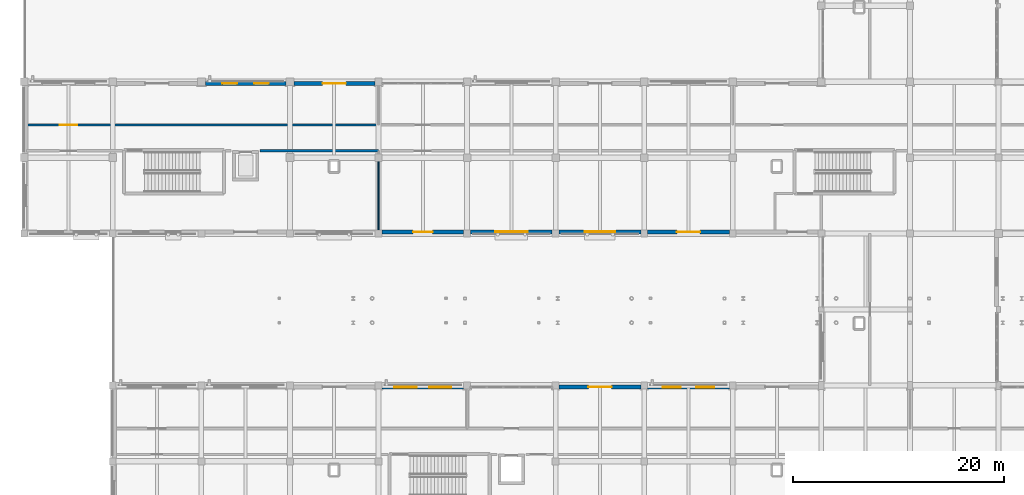
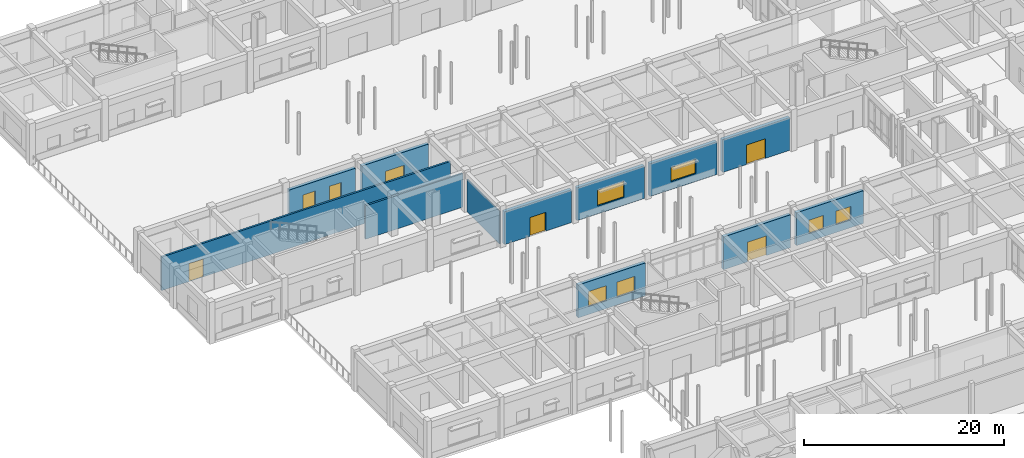
# One storey, part 79 of 121: 12 walls, 8 windows, 5 doors, 13 openings.
"""IFC4 building model written with IfcOpenShell, lengths in metres."""

from ifc_helpers import new_model, si_unit, direction, frame, frame_2d, origin, place, context, subcontext, project, spatial, rectangle, extrude, material, layer, layer_set, type_object, element, fill, save


model = new_model("IFC4")

# Units and contexts
model_context = context("Model", 3, precision=1e-05, world=origin(), true_north=direction((0.0, 1.0)))
body_context = subcontext(model_context, "Body", "Model", "MODEL_VIEW")
ifc_project = project(units=[si_unit("LENGTHUNIT", "METRE"), si_unit("AREAUNIT", "SQUARE_METRE"), si_unit("VOLUMEUNIT", "CUBIC_METRE"), si_unit("PLANEANGLEUNIT", "RADIAN"), si_unit("MASSUNIT", "GRAM", prefix="KILO")], contexts=[model_context])

# Site, building, storey
site_placement = place(None, origin())
site = spatial("IfcSite", under=ifc_project, at=site_placement, CompositionType="ELEMENT")
building_placement = place(site_placement, origin())
building = spatial("IfcBuilding", under=site, at=building_placement, Name="Malvenik Polytechnic", CompositionType="ELEMENT")
storey_placement = place(building_placement, origin())
storey = spatial("IfcBuildingStorey", under=building, at=storey_placement, Name="L00", CompositionType="ELEMENT", Elevation=0.0)

# Wall, openings, windows
ifc_material_1 = material(Name="Concrete C30/37", Category="concrete")
ifc_layer_1 = layer(ifc_material_1, 0.3798828125)
ifc_layer_set_1 = layer_set([ifc_layer_1], Name="Concrete C30/37")
wall_type_1 = type_object("IfcWallType", Name="ARC-EW-380", PredefinedType="SOLIDWALL", material=ifc_layer_set_1)
wall_1_placement = place(storey_placement, frame((33.923095703125, 64.6298828125, 0.0), z_axis=(0.0, 0.0, 1.0), x_axis=(1.0, 0.0, 0.0)))
wall_1 = element("IfcWall", 1, at=wall_1_placement, inside=storey, type_object=wall_type_1, Name="External Facade Wall EW-01 L00 #48", PredefinedType="SOLIDWALL", context=body_context, shape_type="SweptSolid", body=[
    extrude(rectangle(XDim=7.75390625, YDim=0.3798828125, at=frame_2d((3.876953125, 0.0))), origin(), (0.0, 0.0, 1.0), 4.010009765625),
])
opening_1_placement = place(wall_1_placement, frame((1.184814453125, 0.0, 0.949951171875)))
opening_1 = element("IfcOpeningElement", 2, at=opening_1_placement, cuts=wall_1, Name="Opening W-23", PredefinedType="OPENING", context=body_context, shape_type="SweptSolid", body=[
    extrude(rectangle(XDim=2.10009765625, YDim=1.85009765625, at=frame_2d((1.050048828125, 0.925048828125))), frame((0.0, 0.199951171875, 0.0), z_axis=(0.0, -1.0, 0.0), x_axis=(1.0, 0.0, 0.0)), (0.0, 0.0, 1.0), 0.39990234375),
])
opening_2_placement = place(wall_1_placement, frame((4.469482421875, 0.0, 0.949951171875)))
opening_2 = element("IfcOpeningElement", 3, at=opening_2_placement, cuts=wall_1, Name="Opening W-23", PredefinedType="OPENING", context=body_context, shape_type="SweptSolid", body=[
    extrude(rectangle(XDim=2.10009765625, YDim=1.85009765625, at=frame_2d((1.050048828125, 0.925048828125))), frame((0.0, 0.199951171875, 0.0), z_axis=(0.0, -1.0, 0.0), x_axis=(1.0, 0.0, 0.0)), (0.0, 0.0, 1.0), 0.39990234375),
])
ifc_material_2 = material(Name="Thermally broken aluminium frame with low-E double glazing", Category="aluminium")
window_type_1 = type_object("IfcWindowType", Name="ARC-WIN-W-23", PartitioningType="SINGLE_PANEL", PredefinedType="WINDOW", material=ifc_material_2)
window_1_placement = place(opening_1_placement, origin())
window_1 = element("IfcWindow", 4, at=window_1_placement, inside=storey, type_object=window_type_1, Name="Punched Window W-23 L00 #17", OverallHeight=1.85009765625, OverallWidth=2.10009765625, PartitioningType="SINGLE_PANEL", PredefinedType="WINDOW", context=body_context, shape_type="SweptSolid", body=[
    extrude(rectangle(XDim=2.10009765625, YDim=1.85009765625, at=frame_2d((1.050048828125, 0.925048828125))), frame((0.0, 0.030029296875, 0.0), z_axis=(0.0, -1.0, 0.0), x_axis=(1.0, 0.0, 0.0)), (0.0, 0.0, 1.0), 0.06005859375),
])
fill(opening_1, window_1)
window_2_placement = place(opening_2_placement, origin())
window_2 = element("IfcWindow", 5, at=window_2_placement, inside=storey, type_object=window_type_1, Name="Punched Window W-23 L00 #18", OverallHeight=1.85009765625, OverallWidth=2.10009765625, PartitioningType="SINGLE_PANEL", PredefinedType="WINDOW", context=body_context, shape_type="SweptSolid", body=[
    extrude(rectangle(XDim=2.10009765625, YDim=1.85009765625, at=frame_2d((1.050048828125, 0.925048828125))), frame((0.0, 0.030029296875, 0.0), z_axis=(0.0, -1.0, 0.0), x_axis=(1.0, 0.0, 0.0)), (0.0, 0.0, 1.0), 0.06005859375),
])
fill(opening_2, window_2)

# Wall, opening, door
wall_2_placement = place(storey_placement, frame((50.722900390625, 64.6298828125, 0.0), z_axis=(0.0, 0.0, 1.0), x_axis=(1.0, 0.0, 0.0)))
wall_2 = element("IfcWall", 6, at=wall_2_placement, inside=storey, type_object=wall_type_1, Name="External Facade Wall EW-01 L00 #49", PredefinedType="SOLIDWALL", context=body_context, shape_type="SweptSolid", body=[
    extrude(rectangle(XDim=7.754150390625, YDim=0.3798828125, at=frame_2d((3.876953125, 0.0))), origin(), (0.0, 0.0, 1.0), 4.010009765625),
])
opening_3_placement = place(wall_2_placement, frame((2.777099609375, 0.0, 0.0)))
opening_3 = element("IfcOpeningElement", 7, at=opening_3_placement, cuts=wall_2, Name="Opening ED-02", PredefinedType="OPENING", context=body_context, shape_type="SweptSolid", body=[
    extrude(rectangle(XDim=2.199951171875, YDim=2.39990234375, at=frame_2d((1.10009765625, 1.199951171875))), frame((0.0, 0.199951171875, 0.0), z_axis=(0.0, -1.0, 0.0), x_axis=(1.0, 0.0, 0.0)), (0.0, 0.0, 1.0), 0.39990234375),
])
ifc_material_3 = material(Name="Thermally broken glazed aluminium entrance door", Category="aluminium")
door_type_1 = type_object("IfcDoorType", Name="ARC-EDR-ED-02", OperationType="NOTDEFINED", PredefinedType="DOOR", material=ifc_material_3)
door_1_placement = place(opening_3_placement, origin())
door_1 = element("IfcDoor", 8, at=door_1_placement, inside=storey, type_object=door_type_1, Name="External Door ED-02 L00 #9", OperationType="DOUBLE_DOOR_SINGLE_SWING", OverallHeight=2.39990234375, OverallWidth=2.199951171875, PredefinedType="DOOR", context=body_context, shape_type="SweptSolid", body=[
    extrude(rectangle(XDim=2.199951171875, YDim=2.39990234375, at=frame_2d((1.10009765625, 1.199951171875))), frame((0.0, 0.02490234375, 0.0), z_axis=(0.0, -1.0, 0.0), x_axis=(1.0, 0.0, 0.0)), (0.0, 0.0, 1.0), 0.050048828125),
])
fill(opening_3, door_1)

# Wall, openings, windows
wall_3_placement = place(storey_placement, frame((59.123046875, 64.6298828125, 0.0), z_axis=(0.0, 0.0, 1.0), x_axis=(1.0, 0.0, 0.0)))
wall_3 = element("IfcWall", 9, at=wall_3_placement, inside=storey, type_object=wall_type_1, Name="External Facade Wall EW-01 L00 #50", PredefinedType="SOLIDWALL", context=body_context, shape_type="SweptSolid", body=[
    extrude(rectangle(XDim=7.75390625, YDim=0.3798828125, at=frame_2d((3.876953125, 0.0))), origin(), (0.0, 0.0, 1.0), 4.010009765625),
])
opening_4_placement = place(wall_3_placement, frame((1.451416015625, 0.0, 0.949951171875)))
opening_4 = element("IfcOpeningElement", 10, at=opening_4_placement, cuts=wall_3, Name="Opening W-25", PredefinedType="OPENING", context=body_context, shape_type="SweptSolid", body=[
    extrude(rectangle(XDim=1.699951171875, YDim=1.64990234375, at=frame_2d((0.85009765625, 0.824951171875))), frame((0.0, 0.199951171875, 0.0), z_axis=(0.0, -1.0, 0.0), x_axis=(1.0, 0.0, 0.0)), (0.0, 0.0, 1.0), 0.39990234375),
])
opening_5_placement = place(wall_3_placement, frame((4.6025390625, 0.0, 0.949951171875)))
opening_5 = element("IfcOpeningElement", 11, at=opening_5_placement, cuts=wall_3, Name="Opening W-25", PredefinedType="OPENING", context=body_context, shape_type="SweptSolid", body=[
    extrude(rectangle(XDim=1.699951171875, YDim=1.64990234375, at=frame_2d((0.85009765625, 0.824951171875))), frame((0.0, 0.199951171875, 0.0), z_axis=(0.0, -1.0, 0.0), x_axis=(1.0, 0.0, 0.0)), (0.0, 0.0, 1.0), 0.39990234375),
])
window_type_2 = type_object("IfcWindowType", Name="ARC-WIN-W-25", PartitioningType="SINGLE_PANEL", PredefinedType="WINDOW", material=ifc_material_2)
window_3_placement = place(opening_4_placement, origin())
window_3 = element("IfcWindow", 12, at=window_3_placement, inside=storey, type_object=window_type_2, Name="Punched Window W-25 L00 #19", OverallHeight=1.64990234375, OverallWidth=1.699951171875, PartitioningType="SINGLE_PANEL", PredefinedType="WINDOW", context=body_context, shape_type="SweptSolid", body=[
    extrude(rectangle(XDim=1.699951171875, YDim=1.64990234375, at=frame_2d((0.85009765625, 0.824951171875))), frame((0.0, 0.030029296875, 0.0), z_axis=(0.0, -1.0, 0.0), x_axis=(1.0, 0.0, 0.0)), (0.0, 0.0, 1.0), 0.06005859375),
])
fill(opening_4, window_3)
window_4_placement = place(opening_5_placement, origin())
window_4 = element("IfcWindow", 13, at=window_4_placement, inside=storey, type_object=window_type_2, Name="Punched Window W-25 L00 #20", OverallHeight=1.64990234375, OverallWidth=1.699951171875, PartitioningType="SINGLE_PANEL", PredefinedType="WINDOW", context=body_context, shape_type="SweptSolid", body=[
    extrude(rectangle(XDim=1.699951171875, YDim=1.64990234375, at=frame_2d((0.85009765625, 0.824951171875))), frame((0.0, 0.030029296875, 0.0), z_axis=(0.0, -1.0, 0.0), x_axis=(1.0, 0.0, 0.0)), (0.0, 0.0, 1.0), 0.06005859375),
])
fill(opening_5, window_4)

# Wall, opening, door
wall_4_placement = place(storey_placement, frame((66.876953125, 79.3701171875, 0.0), z_axis=(0.0, 0.0, 1.0), x_axis=(-1.0, 0.0, 0.0)))
wall_4 = element("IfcWall", 14, at=wall_4_placement, inside=storey, type_object=wall_type_1, Name="External Facade Wall EW-01 L00 #54", PredefinedType="SOLIDWALL", context=body_context, shape_type="SweptSolid", body=[
    extrude(rectangle(XDim=7.75390625, YDim=0.3798828125, at=frame_2d((3.876953125, 0.0))), origin(), (0.0, 0.0, 1.0), 4.010009765625),
])
opening_6_placement = place(wall_4_placement, frame((2.777099609375, 0.0, 0.0)))
opening_6 = element("IfcOpeningElement", 15, at=opening_6_placement, cuts=wall_4, Name="Opening ED-02", PredefinedType="OPENING", context=body_context, shape_type="SweptSolid", body=[
    extrude(rectangle(XDim=2.199951171875, YDim=2.39990234375, at=frame_2d((1.10009765625, 1.199951171875))), frame((0.0, 0.199951171875, 0.0), z_axis=(0.0, -1.0, 0.0), x_axis=(1.0, 0.0, 0.0)), (0.0, 0.0, 1.0), 0.39990234375),
])
door_2_placement = place(opening_6_placement, origin())
door_2 = element("IfcDoor", 16, at=door_2_placement, inside=storey, type_object=door_type_1, Name="External Door ED-02 L00 #12", OperationType="DOUBLE_DOOR_SINGLE_SWING", OverallHeight=2.39990234375, OverallWidth=2.199951171875, PredefinedType="DOOR", context=body_context, shape_type="SweptSolid", body=[
    extrude(rectangle(XDim=2.199951171875, YDim=2.39990234375, at=frame_2d((1.10009765625, 1.199951171875))), frame((0.0, 0.02490234375, 0.0), z_axis=(0.0, -1.0, 0.0), x_axis=(1.0, 0.0, 0.0)), (0.0, 0.0, 1.0), 0.050048828125),
])
fill(opening_6, door_2)

# Wall, opening, window
wall_5_placement = place(storey_placement, frame((58.47705078125, 79.3701171875, 0.0), z_axis=(0.0, 0.0, 1.0), x_axis=(-1.0, 0.0, 0.0)))
wall_5 = element("IfcWall", 17, at=wall_5_placement, inside=storey, type_object=wall_type_1, Name="External Facade Wall EW-01 L00 #55", PredefinedType="SOLIDWALL", context=body_context, shape_type="SweptSolid", body=[
    extrude(rectangle(XDim=7.754150390625, YDim=0.3798828125, at=frame_2d((3.876953125, 0.0))), origin(), (0.0, 0.0, 1.0), 4.010009765625),
])
opening_7_placement = place(wall_5_placement, frame((2.427001953125, 0.0, 0.949951171875)))
opening_7 = element("IfcOpeningElement", 18, at=opening_7_placement, cuts=wall_5, Name="Opening W-28", PredefinedType="OPENING", context=body_context, shape_type="SweptSolid", body=[
    extrude(rectangle(XDim=2.89990234375, YDim=1.75, at=frame_2d((1.449951171875, 0.875))), frame((0.0, 0.199951171875, 0.0), z_axis=(0.0, -1.0, 0.0), x_axis=(1.0, 0.0, 0.0)), (0.0, 0.0, 1.0), 0.39990234375),
])
window_type_3 = type_object("IfcWindowType", Name="ARC-WIN-W-28", PartitioningType="SINGLE_PANEL", PredefinedType="WINDOW", material=ifc_material_2)
window_5_placement = place(opening_7_placement, origin())
window_5 = element("IfcWindow", 19, at=window_5_placement, inside=storey, type_object=window_type_3, Name="Punched Window W-28 L00 #22", OverallHeight=1.75, OverallWidth=2.89990234375, PartitioningType="SINGLE_PANEL", PredefinedType="WINDOW", context=body_context, shape_type="SweptSolid", body=[
    extrude(rectangle(XDim=2.89990234375, YDim=1.75, at=frame_2d((1.449951171875, 0.875))), frame((0.0, 0.030029296875, 0.0), z_axis=(0.0, -1.0, 0.0), x_axis=(1.0, 0.0, 0.0)), (0.0, 0.0, 1.0), 0.06005859375),
])
fill(opening_7, window_5)

wall_6_placement = place(storey_placement, frame((50.076904296875, 79.3701171875, 0.0), z_axis=(0.0, 0.0, 1.0), x_axis=(-1.0, 0.0, 0.0)))
wall_6 = element("IfcWall", 20, at=wall_6_placement, inside=storey, type_object=wall_type_1, Name="External Facade Wall EW-01 L00 #56", PredefinedType="SOLIDWALL", context=body_context, shape_type="SweptSolid", body=[
    extrude(rectangle(XDim=7.75390625, YDim=0.3798828125, at=frame_2d((3.876953125, 0.0))), origin(), (0.0, 0.0, 1.0), 4.010009765625),
])
opening_8_placement = place(wall_6_placement, frame((2.326904296875, 0.0, 0.949951171875)))
opening_8 = element("IfcOpeningElement", 21, at=opening_8_placement, cuts=wall_6, Name="Opening W-29", PredefinedType="OPENING", context=body_context, shape_type="SweptSolid", body=[
    extrude(rectangle(XDim=3.10009765625, YDim=1.949951171875, at=frame_2d((1.550048828125, 0.97509765625))), frame((0.0, 0.199951171875, 0.0), z_axis=(0.0, -1.0, 0.0), x_axis=(1.0, 0.0, 0.0)), (0.0, 0.0, 1.0), 0.39990234375),
])
window_type_4 = type_object("IfcWindowType", Name="ARC-WIN-W-29", PartitioningType="SINGLE_PANEL", PredefinedType="WINDOW", material=ifc_material_2)
window_6_placement = place(opening_8_placement, origin())
window_6 = element("IfcWindow", 22, at=window_6_placement, inside=storey, type_object=window_type_4, Name="Punched Window W-29 L00 #23", OverallHeight=1.949951171875, OverallWidth=3.10009765625, PartitioningType="SINGLE_PANEL", PredefinedType="WINDOW", context=body_context, shape_type="SweptSolid", body=[
    extrude(rectangle(XDim=3.10009765625, YDim=1.949951171875, at=frame_2d((1.550048828125, 0.97509765625))), frame((0.0, 0.030029296875, 0.0), z_axis=(0.0, -1.0, 0.0), x_axis=(1.0, 0.0, 0.0)), (0.0, 0.0, 1.0), 0.06005859375),
])
fill(opening_8, window_6)

# Wall, opening, door
wall_7_placement = place(storey_placement, frame((41.677001953125, 79.3701171875, 0.0), z_axis=(0.0, 0.0, 1.0), x_axis=(-1.0, 0.0, 0.0)))
wall_7 = element("IfcWall", 23, at=wall_7_placement, inside=storey, type_object=wall_type_1, Name="External Facade Wall EW-01 L00 #57", PredefinedType="SOLIDWALL", context=body_context, shape_type="SweptSolid", body=[
    extrude(rectangle(XDim=7.75390625, YDim=0.3798828125, at=frame_2d((3.876953125, 0.0))), origin(), (0.0, 0.0, 1.0), 4.010009765625),
])
opening_9_placement = place(wall_7_placement, frame((2.951904296875, 0.0, 0.0)))
opening_9 = element("IfcOpeningElement", 24, at=opening_9_placement, cuts=wall_7, Name="Opening ED-03", PredefinedType="OPENING", context=body_context, shape_type="SweptSolid", body=[
    extrude(rectangle(XDim=1.85009765625, YDim=2.300048828125, at=frame_2d((0.925048828125, 1.14990234375))), frame((0.0, 0.199951171875, 0.0), z_axis=(0.0, -1.0, 0.0), x_axis=(1.0, 0.0, 0.0)), (0.0, 0.0, 1.0), 0.39990234375),
])
ifc_material_4 = material(Name="Powder-coated steel emergency exit double door", Category="steel")
door_type_2 = type_object("IfcDoorType", Name="ARC-EDR-ED-03", OperationType="NOTDEFINED", PredefinedType="DOOR", material=ifc_material_4)
door_3_placement = place(opening_9_placement, origin())
door_3 = element("IfcDoor", 25, at=door_3_placement, inside=storey, type_object=door_type_2, Name="External Door ED-03 L00 #13", OperationType="DOUBLE_DOOR_SINGLE_SWING", OverallHeight=2.300048828125, OverallWidth=1.85009765625, PredefinedType="DOOR", context=body_context, shape_type="SweptSolid", body=[
    extrude(rectangle(XDim=1.85009765625, YDim=2.300048828125, at=frame_2d((0.925048828125, 1.14990234375))), frame((0.0, 0.02490234375, 0.0), z_axis=(0.0, -1.0, 0.0), x_axis=(1.0, 0.0, 0.0)), (0.0, 0.0, 1.0), 0.050048828125),
])
fill(opening_9, door_3)

# Wall, openings, windows
wall_8_placement = place(storey_placement, frame((17.173095703125, 93.429931640625, 0.0), z_axis=(0.0, 0.0, 1.0), x_axis=(1.0, 0.0, 0.0)))
wall_8 = element("IfcWall", 26, at=wall_8_placement, inside=storey, type_object=wall_type_1, Name="External Facade Wall EW-01 L00 #66", PredefinedType="SOLIDWALL", context=body_context, shape_type="SweptSolid", body=[
    extrude(rectangle(XDim=7.65380859375, YDim=0.3798828125, at=frame_2d((3.826904296875, 0.0))), origin(), (0.0, 0.0, 1.0), 4.010009765625),
])
opening_10_placement = place(wall_8_placement, frame((1.617919921875, 0.0, 0.949951171875)))
opening_10 = element("IfcOpeningElement", 27, at=opening_10_placement, cuts=wall_8, Name="Opening W-06", PredefinedType="OPENING", context=body_context, shape_type="SweptSolid", body=[
    extrude(rectangle(XDim=1.39990234375, YDim=1.89990234375, at=frame_2d((0.699951171875, 0.949951171875))), frame((0.0, 0.199951171875, 0.0), z_axis=(0.0, -1.0, 0.0), x_axis=(1.0, 0.0, 0.0)), (0.0, 0.0, 1.0), 0.39990234375),
])
opening_11_placement = place(wall_8_placement, frame((4.635986328125, 0.0, 0.949951171875)))
opening_11 = element("IfcOpeningElement", 28, at=opening_11_placement, cuts=wall_8, Name="Opening W-06", PredefinedType="OPENING", context=body_context, shape_type="SweptSolid", body=[
    extrude(rectangle(XDim=1.39990234375, YDim=1.89990234375, at=frame_2d((0.699951171875, 0.949951171875))), frame((0.0, 0.199951171875, 0.0), z_axis=(0.0, -1.0, 0.0), x_axis=(1.0, 0.0, 0.0)), (0.0, 0.0, 1.0), 0.39990234375),
])
window_type_5 = type_object("IfcWindowType", Name="ARC-WIN-W-06", PartitioningType="SINGLE_PANEL", PredefinedType="WINDOW", material=ifc_material_2)
window_7_placement = place(opening_10_placement, origin())
window_7 = element("IfcWindow", 29, at=window_7_placement, inside=storey, type_object=window_type_5, Name="Punched Window W-06 L00 #32", OverallHeight=1.89990234375, OverallWidth=1.39990234375, PartitioningType="SINGLE_PANEL", PredefinedType="WINDOW", context=body_context, shape_type="SweptSolid", body=[
    extrude(rectangle(XDim=1.39990234375, YDim=1.89990234375, at=frame_2d((0.699951171875, 0.949951171875))), frame((0.0, 0.030029296875, 0.0), z_axis=(0.0, -1.0, 0.0), x_axis=(1.0, 0.0, 0.0)), (0.0, 0.0, 1.0), 0.06005859375),
])
fill(opening_10, window_7)
window_8_placement = place(opening_11_placement, origin())
window_8 = element("IfcWindow", 30, at=window_8_placement, inside=storey, type_object=window_type_5, Name="Punched Window W-06 L00 #33", OverallHeight=1.89990234375, OverallWidth=1.39990234375, PartitioningType="SINGLE_PANEL", PredefinedType="WINDOW", context=body_context, shape_type="SweptSolid", body=[
    extrude(rectangle(XDim=1.39990234375, YDim=1.89990234375, at=frame_2d((0.699951171875, 0.949951171875))), frame((0.0, 0.030029296875, 0.0), z_axis=(0.0, -1.0, 0.0), x_axis=(1.0, 0.0, 0.0)), (0.0, 0.0, 1.0), 0.06005859375),
])
fill(opening_11, window_8)

# Wall, opening, door
wall_9_placement = place(storey_placement, frame((25.572998046875, 93.429931640625, 0.0), z_axis=(0.0, 0.0, 1.0), x_axis=(1.0, 0.0, 0.0)))
wall_9 = element("IfcWall", 31, at=wall_9_placement, inside=storey, type_object=wall_type_1, Name="External Facade Wall EW-01 L00 #67", PredefinedType="SOLIDWALL", context=body_context, shape_type="SweptSolid", body=[
    extrude(rectangle(XDim=7.678955078125, YDim=0.3798828125, at=frame_2d((3.83935546875, 0.0))), origin(), (0.0, 0.0, 1.0), 4.010009765625),
])
opening_12_placement = place(wall_9_placement, frame((2.72705078125, 0.0, 0.0)))
opening_12 = element("IfcOpeningElement", 32, at=opening_12_placement, cuts=wall_9, Name="Opening ED-02", PredefinedType="OPENING", context=body_context, shape_type="SweptSolid", body=[
    extrude(rectangle(XDim=2.199951171875, YDim=2.39990234375, at=frame_2d((1.10009765625, 1.199951171875))), frame((0.0, 0.199951171875, 0.0), z_axis=(0.0, -1.0, 0.0), x_axis=(1.0, 0.0, 0.0)), (0.0, 0.0, 1.0), 0.39990234375),
])
door_4_placement = place(opening_12_placement, origin())
door_4 = element("IfcDoor", 33, at=door_4_placement, inside=storey, type_object=door_type_1, Name="External Door ED-02 L00 #16", OperationType="DOUBLE_DOOR_SINGLE_SWING", OverallHeight=2.39990234375, OverallWidth=2.199951171875, PredefinedType="DOOR", context=body_context, shape_type="SweptSolid", body=[
    extrude(rectangle(XDim=2.199951171875, YDim=2.39990234375, at=frame_2d((1.10009765625, 1.199951171875))), frame((0.0, 0.02490234375, 0.0), z_axis=(0.0, -1.0, 0.0), x_axis=(1.0, 0.0, 0.0)), (0.0, 0.0, 1.0), 0.050048828125),
])
fill(opening_12, door_4)

ifc_material_5 = material(Name="Autoclaved aerated concrete blockwork 220mm", Category="masonry")
ifc_layer_2 = layer(ifc_material_5, 0.219970703125)
ifc_layer_set_2 = layer_set([ifc_layer_2], Name="Autoclaved aerated concrete blockwork 220mm")
wall_type_2 = type_object("IfcWallType", Name="ARC-FW-220", PredefinedType="SOLIDWALL", material=ifc_layer_set_2)
wall_10_placement = place(storey_placement, frame((0.219970703125, 89.5, 0.0), z_axis=(0.0, 0.0, 1.0), x_axis=(1.0, 0.0, 0.0)))
wall_10 = element("IfcWall", 34, at=wall_10_placement, inside=storey, type_object=wall_type_2, Name="Interior Partition FW-01 L00 #70", PredefinedType="SOLIDWALL", context=body_context, shape_type="SweptSolid", body=[
    extrude(rectangle(XDim=33.380126953125, YDim=0.219970703125, at=frame_2d((16.68994140625, 0.0))), origin(), (0.0, 0.0, 1.0), 4.10498046875),
])
opening_13_placement = place(wall_10_placement, frame((3.155029296875, 0.0, 0.0)))
opening_13 = element("IfcOpeningElement", 35, at=opening_13_placement, cuts=wall_10, Name="Opening FD-03", PredefinedType="OPENING", context=body_context, shape_type="SweptSolid", body=[
    extrude(rectangle(XDim=1.64990234375, YDim=2.199951171875, at=frame_2d((0.824951171875, 1.10009765625))), frame((0.0, 0.1201171875, 0.0), z_axis=(0.0, -1.0, 0.0), x_axis=(1.0, 0.0, 0.0)), (0.0, 0.0, 1.0), 0.239990234375),
])
ifc_material_6 = material(Name="Fire-rated double-leaf laboratory door", Category="steel")
door_type_3 = type_object("IfcDoorType", Name="ARC-IDR-FD-03", OperationType="NOTDEFINED", PredefinedType="DOOR", material=ifc_material_6)
door_5_placement = place(opening_13_placement, origin())
door_5 = element("IfcDoor", 36, at=door_5_placement, inside=storey, type_object=door_type_3, Name="Interior Door FD-03 L00 #33", OperationType="DOUBLE_DOOR_SINGLE_SWING", OverallHeight=2.199951171875, OverallWidth=1.64990234375, PredefinedType="DOOR", context=body_context, shape_type="SweptSolid", body=[
    extrude(rectangle(XDim=1.64990234375, YDim=2.199951171875, at=frame_2d((0.824951171875, 1.10009765625))), frame((0.0, 0.02490234375, 0.0), z_axis=(0.0, -1.0, 0.0), x_axis=(1.0, 0.0, 0.0)), (0.0, 0.0, 1.0), 0.050048828125),
])
fill(opening_13, door_5)

# Walls
wall_11_placement = place(storey_placement, frame((33.60009765625, 87.050048828125, 0.0), z_axis=(0.0, 0.0, 1.0), x_axis=(-1.0, 0.0, 0.0)))
element("IfcWall", 37, at=wall_11_placement, inside=storey, type_object=wall_type_2, Name="Interior Partition FW-01 L00 #77", PredefinedType="SOLIDWALL", context=body_context, shape_type="SweptSolid", body=[
    extrude(rectangle(XDim=11.22998046875, YDim=0.219970703125, at=frame_2d((5.614990234375, 0.0))), origin(), (0.0, 0.0, 1.0), 4.10498046875),
])
ifc_material_7 = material(Name="Lightweight gypsum partition 110mm", Category="gypsum")
ifc_layer_3 = layer(ifc_material_7, 0.110107421875)
ifc_layer_set_3 = layer_set([ifc_layer_3], Name="Lightweight gypsum partition 110mm")
wall_type_3 = type_object("IfcWallType", Name="ARC-PW-110", PredefinedType="PARTITIONING", material=ifc_layer_set_3)
wall_12_placement = place(storey_placement, frame((33.60009765625, 79.544921875, 0.0), z_axis=(0.0, 0.0, 1.0), x_axis=(0.0, 1.0, 0.0)))
element("IfcWall", 38, at=wall_12_placement, inside=storey, type_object=wall_type_3, Name="Interior Partition PW-04I L00 #80", PredefinedType="PARTITIONING", context=body_context, shape_type="SweptSolid", body=[
    extrude(rectangle(XDim=6.485107421875, YDim=0.110107421875, at=frame_2d((3.24267578125, 0.0))), origin(), (0.0, 0.0, 1.0), 4.0048828125),
])

save(model, "model.ifc")
